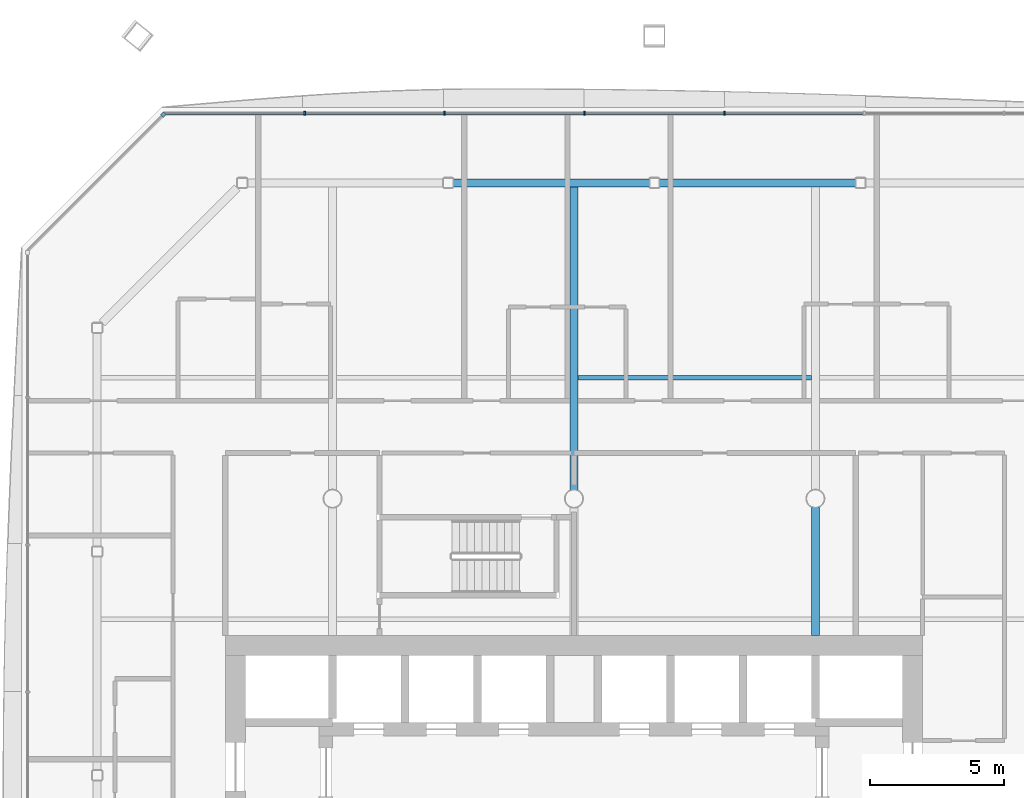
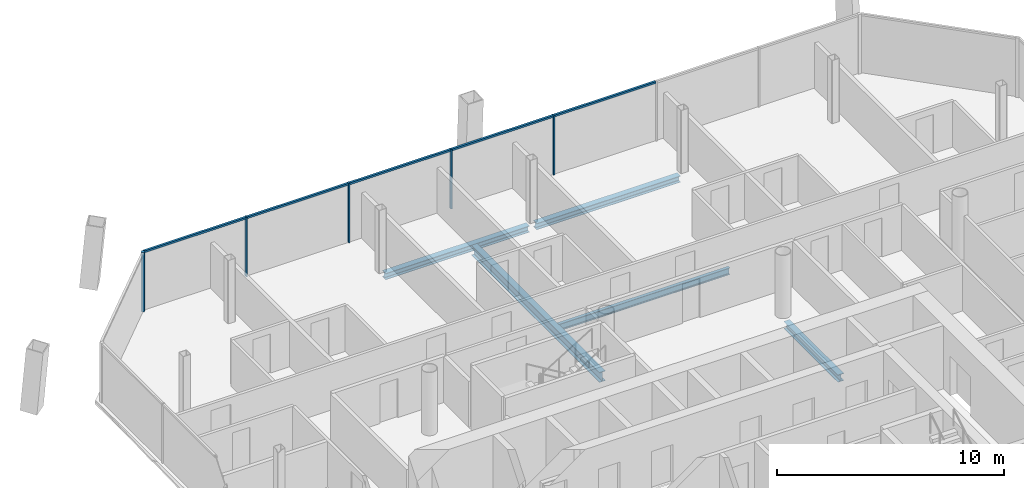
# One storey, part 10 of 22: 10 members, 5 beams, 2 elements without a shape of their own.
"""IFC4 building model written with IfcOpenShell, lengths in metres."""

from ifc_helpers import new_model, si_unit, direction, frame, origin, origin_2d, place, context, subcontext, project, spatial, rectangle, i_section, extrude, material, material_profile, profile_set, type_object, element, aggregate, save


model = new_model("IFC4")

# Units and contexts
model_context = context("Model", 3, precision=1e-05, world=origin(), true_north=direction((0.0, 1.0)))
body_context = subcontext(model_context, "Body", "Model", "MODEL_VIEW")
ifc_project = project(units=[si_unit("LENGTHUNIT", "METRE"), si_unit("AREAUNIT", "SQUARE_METRE"), si_unit("VOLUMEUNIT", "CUBIC_METRE"), si_unit("PLANEANGLEUNIT", "RADIAN"), si_unit("MASSUNIT", "GRAM", prefix="KILO")], contexts=[model_context])

# Site, building, storey
site_placement = place(None, origin())
site = spatial("IfcSite", under=ifc_project, at=site_placement, CompositionType="ELEMENT")
building_placement = place(site_placement, origin())
building = spatial("IfcBuilding", under=site, at=building_placement, Name="Tskaro Facet Tower", CompositionType="ELEMENT")
storey_placement = place(building_placement, frame((0.0, 0.0, 124.89990234375)))
storey = spatial("IfcBuildingStorey", under=building, at=storey_placement, Name="L29", CompositionType="ELEMENT", Elevation=124.89990234375)

# Curtain wall, member
ifc_material_1 = material(Name="Bronze anodised aluminium 6063-T6", Category="aluminium")
curtain_wall_type = type_object("IfcCurtainWallType", Name="Bronze hotel curtain wall (FW2)", PredefinedType="NOTDEFINED", material=ifc_material_1)
curtain_wall_1_placement = place(storey_placement, origin())
curtain_wall_1 = element("IfcCurtainWall", 1, at=curtain_wall_1_placement, inside=storey, type_object=curtain_wall_type, Name="FW2 north-west facet L29", PredefinedType="NOTDEFINED")
ifc_material_profile_1 = material_profile(ifc_material_1, rectangle(XDim=0.14990234375, YDim=0.14990234375, at=origin_2d()), Name="Corner post 150x150")
ifc_profile_set_1 = profile_set([ifc_material_profile_1], Name="Bronze anodised aluminium 6063-T6")
member_type_1 = type_object("IfcMemberType", Name="FW2 bronze corner post 150x150", PredefinedType="MULLION", material=ifc_profile_set_1)
member_1_placement = place(storey_placement, frame((-15.30615234375, 23.31396484375, 0.0), z_axis=(0.0, 0.0, 1.0), x_axis=(-0.707106781187, -0.707106781187, 0.0)))
member_1 = element("IfcMember", 2, at=member_1_placement, type_object=member_type_1, Name="FW2 north-west corner post", PredefinedType="MULLION", context=body_context, shape_type="SweptSolid", body=[
    extrude(rectangle(XDim=0.14990234375, YDim=0.14990234375, at=origin_2d()), origin(), (0.0, 0.0, 1.0), 3.2001953125),
])
aggregate(curtain_wall_1, [member_1])

# Curtain wall, members
curtain_wall_2_placement = place(storey_placement, origin())
curtain_wall_2 = element("IfcCurtainWall", 3, at=curtain_wall_2_placement, inside=storey, type_object=curtain_wall_type, Name="FW2 north facet L29", PredefinedType="NOTDEFINED")
ifc_material_profile_2 = material_profile(ifc_material_1, rectangle(XDim=0.06005859375, YDim=0.14990234375, at=origin_2d()), Name="Mullion 60x150")
ifc_profile_set_2 = profile_set([ifc_material_profile_2], Name="Bronze anodised aluminium 6063-T6")
member_type_2 = type_object("IfcMemberType", Name="FW2 bronze mullion 60x150", PredefinedType="MULLION", material=ifc_profile_set_2)
member_2_placement = place(storey_placement, frame((5.607666015625, 23.366943359375, 0.0), z_axis=(0.0, 0.0, 1.0), x_axis=(-1.0, 0.0, 0.0)))
member_2 = element("IfcMember", 4, at=member_2_placement, type_object=member_type_2, Name="FW2 north mullion 3", PredefinedType="MULLION", context=body_context, shape_type="SweptSolid", body=[
    extrude(rectangle(XDim=0.06005859375, YDim=0.14990234375, at=origin_2d()), origin(), (0.0, 0.0, 1.0), 3.2001953125),
])
member_3_placement = place(storey_placement, frame((0.392333984375, 23.366943359375, 0.0), z_axis=(0.0, 0.0, 1.0), x_axis=(-1.0, 0.0, 0.0)))
member_3 = element("IfcMember", 5, at=member_3_placement, type_object=member_type_2, Name="FW2 north mullion 4", PredefinedType="MULLION", context=body_context, shape_type="SweptSolid", body=[
    extrude(rectangle(XDim=0.06005859375, YDim=0.14990234375, at=origin_2d()), origin(), (0.0, 0.0, 1.0), 3.2001953125),
])
member_4_placement = place(storey_placement, frame((-4.82275390625, 23.366943359375, 0.0), z_axis=(0.0, 0.0, 1.0), x_axis=(-1.0, 0.0, 0.0)))
member_4 = element("IfcMember", 6, at=member_4_placement, type_object=member_type_2, Name="FW2 north mullion 5", PredefinedType="MULLION", context=body_context, shape_type="SweptSolid", body=[
    extrude(rectangle(XDim=0.06005859375, YDim=0.14990234375, at=origin_2d()), origin(), (0.0, 0.0, 1.0), 3.2001953125),
])
member_5_placement = place(storey_placement, frame((-10.037841796875, 23.366943359375, 0.0), z_axis=(0.0, 0.0, 1.0), x_axis=(-1.0, 0.0, 0.0)))
member_5 = element("IfcMember", 7, at=member_5_placement, type_object=member_type_2, Name="FW2 north mullion 6", PredefinedType="MULLION", context=body_context, shape_type="SweptSolid", body=[
    extrude(rectangle(XDim=0.06005859375, YDim=0.14990234375, at=origin_2d()), origin(), (0.0, 0.0, 1.0), 3.2001953125),
])
ifc_material_profile_3 = material_profile(ifc_material_1, rectangle(XDim=0.110107421875, YDim=0.10009765625, at=origin_2d()), Name="Transom 110x100")
ifc_profile_set_3 = profile_set([ifc_material_profile_3], Name="Bronze anodised aluminium 6063-T6")
member_type_3 = type_object("IfcMemberType", Name="FW2 bronze transom 110x100", PredefinedType="USERDEFINED", material=ifc_profile_set_3)
member_6_placement = place(storey_placement, frame((10.792724609375, 23.366943359375, 3.150146484375), z_axis=(-1.0, 0.0, 0.0), x_axis=(0.0, -1.0, 0.0)))
member_6 = element("IfcMember", 8, at=member_6_placement, type_object=member_type_3, Name="FW2 north transom 3.1", ObjectType="TRANSOM", PredefinedType="USERDEFINED", context=body_context, shape_type="SweptSolid", body=[
    extrude(rectangle(XDim=0.110107421875, YDim=0.10009765625, at=origin_2d()), origin(), (0.0, 0.0, 1.0), 5.1552734375),
])
member_7_placement = place(storey_placement, frame((5.57763671875, 23.366943359375, 3.150146484375), z_axis=(-1.0, 0.0, 0.0), x_axis=(0.0, -1.0, 0.0)))
member_7 = element("IfcMember", 9, at=member_7_placement, type_object=member_type_3, Name="FW2 north transom 4.1", ObjectType="TRANSOM", PredefinedType="USERDEFINED", context=body_context, shape_type="SweptSolid", body=[
    extrude(rectangle(XDim=0.110107421875, YDim=0.10009765625, at=origin_2d()), origin(), (0.0, 0.0, 1.0), 5.1552734375),
])
member_8_placement = place(storey_placement, frame((0.362548828125, 23.366943359375, 3.150146484375), z_axis=(-1.0, 0.0, 0.0), x_axis=(0.0, -1.0, 0.0)))
member_8 = element("IfcMember", 10, at=member_8_placement, type_object=member_type_3, Name="FW2 north transom 5.1", ObjectType="TRANSOM", PredefinedType="USERDEFINED", context=body_context, shape_type="SweptSolid", body=[
    extrude(rectangle(XDim=0.110107421875, YDim=0.10009765625, at=origin_2d()), origin(), (0.0, 0.0, 1.0), 5.1552734375),
])
member_9_placement = place(storey_placement, frame((-4.852783203125, 23.366943359375, 3.150146484375), z_axis=(-1.0, 0.0, 0.0), x_axis=(0.0, -1.0, 0.0)))
member_9 = element("IfcMember", 11, at=member_9_placement, type_object=member_type_3, Name="FW2 north transom 6.1", ObjectType="TRANSOM", PredefinedType="USERDEFINED", context=body_context, shape_type="SweptSolid", body=[
    extrude(rectangle(XDim=0.110107421875, YDim=0.10009765625, at=origin_2d()), origin(), (0.0, 0.0, 1.0), 5.155029296875),
])
member_10_placement = place(storey_placement, frame((-10.06787109375, 23.366943359375, 3.150146484375), z_axis=(-1.0, 0.0, 0.0), x_axis=(0.0, -1.0, 0.0)))
member_10 = element("IfcMember", 12, at=member_10_placement, type_object=member_type_3, Name="FW2 north transom 7.1", ObjectType="TRANSOM", PredefinedType="USERDEFINED", context=body_context, shape_type="SweptSolid", body=[
    extrude(rectangle(XDim=0.110107421875, YDim=0.10009765625, at=origin_2d()), origin(), (0.0, 0.0, 1.0), 5.18505859375),
])
aggregate(curtain_wall_2, [member_2, member_3, member_4, member_5, member_6, member_7, member_8, member_9, member_10])

# Beams
ifc_material_2 = material(Name="Steel S355J2", Category="steel")
ifc_material_profile_4 = material_profile(ifc_material_2, i_section(OverallWidth=0.300048828125, OverallDepth=0.340087890625, WebThickness=0.011962890625, FlangeThickness=0.021484375, FilletRadius=0.027099609375, at=origin_2d()), Name="HE 340 B")
ifc_profile_set_4 = profile_set([ifc_material_profile_4], Name="Steel S355J2")
beam_type_1 = type_object("IfcBeamType", Name="HE 340 B ring beam", PredefinedType="BEAM", material=ifc_profile_set_4)
for number, where, z_axis, x_axis, name in (
    (13, (10.50390625, 20.77392578125, -0.309814453125), (-1.0, 0.0, 0.0), (0.0, -1.0, 0.0), "HE 340 B EB12-3"),
    (14, (2.820068359375, 20.77392578125, -0.309814453125), (-1.0, 0.0, 0.0), (0.0, -1.0, 0.0), "HE 340 B EB13-3"),
):
    element("IfcBeam", number, at=place(storey_placement, frame(where, z_axis=z_axis, x_axis=x_axis)), inside=storey, type_object=beam_type_1, Name=name, PredefinedType="BEAM", context=body_context, shape_type="SweptSolid", body=[
        extrude(i_section(OverallWidth=0.300048828125, OverallDepth=0.340087890625, WebThickness=0.011962890625, FlangeThickness=0.021484375, FilletRadius=0.027099609375, at=origin_2d()), origin(), (0.0, 0.0, 1.0), 7.323974609375),
    ])
ifc_material_profile_5 = material_profile(ifc_material_2, i_section(OverallWidth=0.300048828125, OverallDepth=0.389892578125, WebThickness=0.010986328125, FlangeThickness=0.01904296875, FilletRadius=0.027099609375, at=origin_2d()), Name="HE 400 A")
ifc_profile_set_5 = profile_set([ifc_material_profile_5], Name="Steel S355J2")
beam_type_2 = type_object("IfcBeamType", Name="HE 400 A girder", PredefinedType="BEAM", material=ifc_profile_set_5)
beam_1_placement = place(storey_placement, frame((9.0, 3.89990234375, -0.3349609375), z_axis=(0.0, 1.0, 0.0), x_axis=(-1.0, 0.0, 0.0)))
element("IfcBeam", 15, at=beam_1_placement, inside=storey, type_object=beam_type_2, Name="HE 400 A GB5-2-3", PredefinedType="BEAM", context=body_context, shape_type="SweptSolid", body=[
    extrude(i_section(OverallWidth=0.300048828125, OverallDepth=0.389892578125, WebThickness=0.010986328125, FlangeThickness=0.01904296875, FilletRadius=0.027099609375, at=origin_2d()), origin(), (0.0, 0.0, 1.0), 4.774658203125),
])
ifc_material_profile_6 = material_profile(ifc_material_2, i_section(OverallWidth=0.300048828125, OverallDepth=0.5400390625, WebThickness=0.012451171875, FlangeThickness=0.02392578125, FilletRadius=0.027099609375, at=origin_2d()), Name="HE 550 A")
ifc_profile_set_6 = profile_set([ifc_material_profile_6], Name="Steel S355J2")
beam_type_3 = type_object("IfcBeamType", Name="HE 550 A long girder", PredefinedType="BEAM", material=ifc_profile_set_6)
beam_2_placement = place(storey_placement, frame((0.0, 9.325439453125, -0.409912109375), z_axis=(0.0, 1.0, 0.0), x_axis=(-1.0, 0.0, 0.0)))
element("IfcBeam", 16, at=beam_2_placement, inside=storey, type_object=beam_type_3, Name="HE 550 A LGB4-3-3", PredefinedType="BEAM", context=body_context, shape_type="SweptSolid", body=[
    extrude(i_section(OverallWidth=0.300048828125, OverallDepth=0.5400390625, WebThickness=0.012451171875, FlangeThickness=0.02392578125, FilletRadius=0.027099609375, at=origin_2d()), origin(), (0.0, 0.0, 1.0), 11.298583984375),
])
ifc_material_profile_7 = material_profile(ifc_material_2, i_section(OverallWidth=0.169921875, OverallDepth=0.360107421875, WebThickness=0.008056640625, FlangeThickness=0.0126953125, FilletRadius=0.01806640625, at=origin_2d()), Name="IPE 360")
ifc_profile_set_7 = profile_set([ifc_material_profile_7], Name="Steel S355J2")
beam_type_4 = type_object("IfcBeamType", Name="IPE 360 secondary beam", PredefinedType="BEAM", material=ifc_profile_set_7)
beam_3_placement = place(storey_placement, frame((0.14990234375, 13.5, -0.31982421875), z_axis=(1.0, 0.0, 0.0), x_axis=(0.0, 1.0, 0.0)))
element("IfcBeam", 17, at=beam_3_placement, inside=storey, type_object=beam_type_4, Name="IPE 360 SB5a-3-3", PredefinedType="BEAM", context=body_context, shape_type="SweptSolid", body=[
    extrude(i_section(OverallWidth=0.169921875, OverallDepth=0.360107421875, WebThickness=0.008056640625, FlangeThickness=0.0126953125, FilletRadius=0.01806640625, at=origin_2d()), origin(), (0.0, 0.0, 1.0), 8.7001953125),
])

save(model, "model.ifc")
